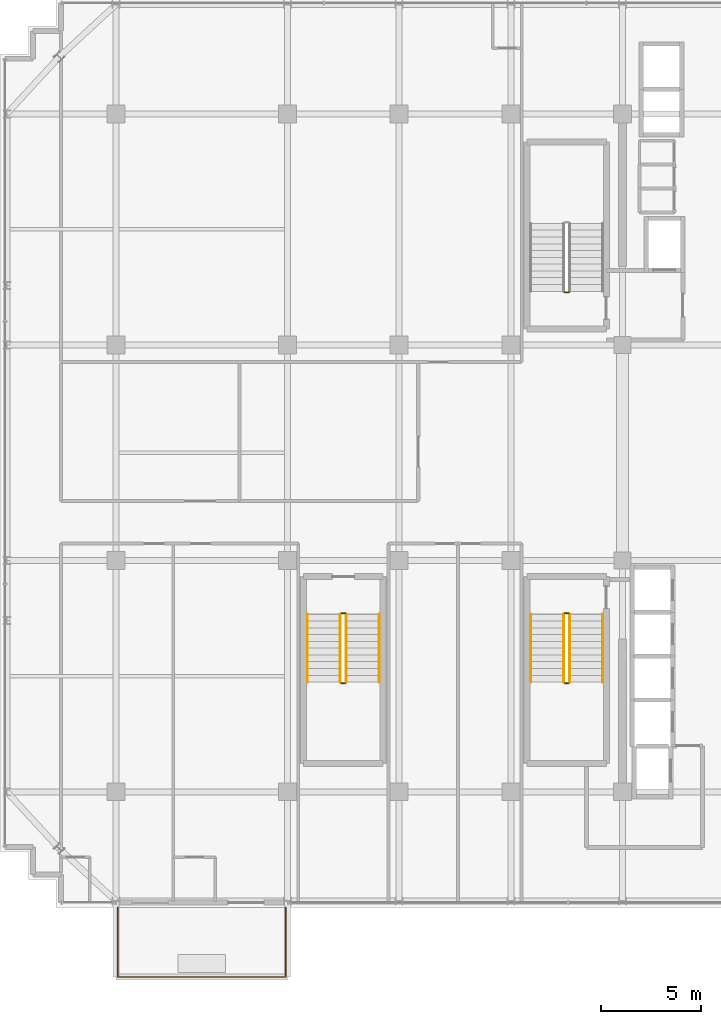
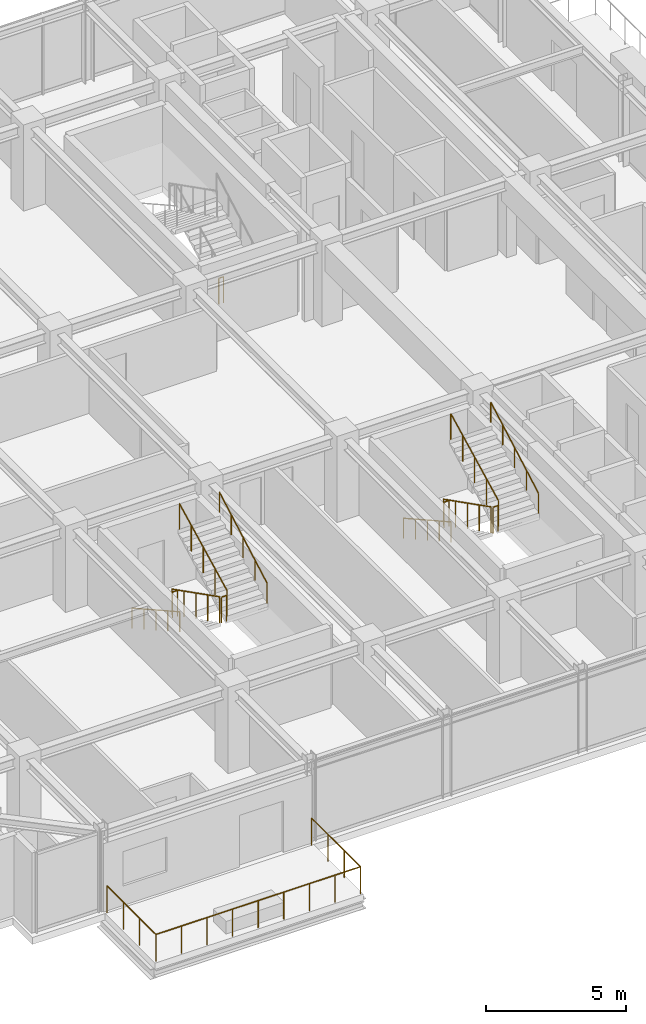
# One storey, part 31 of 33: 14 railings.
"""IFC4 building model written with IfcOpenShell, lengths in metres."""

from ifc_helpers import new_model, si_unit, direction, frame, origin, origin_2d, place, context, subcontext, project, spatial, circle, extrude, material, type_object, element, save


model = new_model("IFC4")

# Units and contexts
model_context = context("Model", 3, precision=1e-05, world=origin(), true_north=direction((0.0, 1.0)))
body_context = subcontext(model_context, "Body", "Model", "MODEL_VIEW")
ifc_project = project(units=[si_unit("LENGTHUNIT", "METRE"), si_unit("AREAUNIT", "SQUARE_METRE"), si_unit("VOLUMEUNIT", "CUBIC_METRE"), si_unit("PLANEANGLEUNIT", "RADIAN"), si_unit("MASSUNIT", "GRAM", prefix="KILO")], contexts=[model_context])

# Site, building, storey
site_placement = place(None, origin())
site = spatial("IfcSite", under=ifc_project, at=site_placement, CompositionType="ELEMENT")
building_placement = place(site_placement, origin())
building = spatial("IfcBuilding", under=site, at=building_placement, Name="Nahalor Promenade Grand Hotel", CompositionType="ELEMENT")
storey_placement = place(building_placement, frame((0.0, 0.0, 315.75)))
storey = spatial("IfcBuildingStorey", under=building, at=storey_placement, Name="L81", CompositionType="ELEMENT", Elevation=315.75)

# Railings
ifc_material_1 = material(Name="Anodised Bronze Aluminium EN AW-6063 T6", Category="aluminium")
railing_type_1 = type_object("IfcRailingType", Name="Bronze Balcony Guardrail 1200 mm", PredefinedType="GUARDRAIL", material=ifc_material_1)
railing_1_placement = place(storey_placement, frame((-16.919921875, -22.800048828125, 0.0)))
element("IfcRailing", 1, at=railing_1_placement, inside=storey, type_object=railing_type_1, Name="L81 Balcony Guardrail 1", PredefinedType="GUARDRAIL", context=body_context, shape_type="SweptSolid", body=[
    extrude(circle(Radius=0.024048, at=origin_2d()), frame((0.0, 0.0, 1.17578125), z_axis=(0.0, -1.0, 0.0), x_axis=(1.0, 0.0, 0.0)), (0.0, 0.0, 1.0), 3.488037109375),
    extrude(circle(Radius=0.024048, at=origin_2d()), frame((0.001953125, -3.489990234375, 1.17578125), z_axis=(1.0, 0.0, 0.0), x_axis=(0.0, 1.0, 0.0)), (0.0, 0.0, 1.0), 8.43603515625),
    extrude(circle(Radius=0.024048, at=origin_2d()), frame((8.43994140625, -3.488037109375, 1.17578125), z_axis=(0.0, 1.0, 0.0), x_axis=(-1.0, 0.0, 0.0)), (0.0, 0.0, 1.0), 3.488037109375),
    extrude(circle(Radius=0.020996, at=origin_2d()), origin(), (0.0, 0.0, 1.0), 1.14990234375),
    extrude(circle(Radius=0.020996, at=origin_2d()), frame((0.0, -1.163330078125, 0.0)), (0.0, 0.0, 1.0), 1.14990234375),
    extrude(circle(Radius=0.020996, at=origin_2d()), frame((0.0, -2.32666015625, 0.0)), (0.0, 0.0, 1.0), 1.14990234375),
    extrude(circle(Radius=0.020996, at=origin_2d()), frame((0.0, -3.489990234375, 0.0)), (0.0, 0.0, 1.0), 1.14990234375),
    extrude(circle(Radius=0.020996, at=origin_2d()), frame((1.054931640625, -3.489990234375, 0.0)), (0.0, 0.0, 1.0), 1.14990234375),
    extrude(circle(Radius=0.020996, at=origin_2d()), frame((2.10986328125, -3.489990234375, 0.0)), (0.0, 0.0, 1.0), 1.14990234375),
    extrude(circle(Radius=0.020996, at=origin_2d()), frame((3.1650390625, -3.489990234375, 0.0)), (0.0, 0.0, 1.0), 1.14990234375),
    extrude(circle(Radius=0.020996, at=origin_2d()), frame((4.219970703125, -3.489990234375, 0.0)), (0.0, 0.0, 1.0), 1.14990234375),
    extrude(circle(Radius=0.020996, at=origin_2d()), frame((5.27490234375, -3.489990234375, 0.0)), (0.0, 0.0, 1.0), 1.14990234375),
    extrude(circle(Radius=0.020996, at=origin_2d()), frame((6.330078125, -3.489990234375, 0.0)), (0.0, 0.0, 1.0), 1.14990234375),
    extrude(circle(Radius=0.020996, at=origin_2d()), frame((7.385009765625, -3.489990234375, 0.0)), (0.0, 0.0, 1.0), 1.14990234375),
    extrude(circle(Radius=0.020996, at=origin_2d()), frame((8.43994140625, -3.489990234375, 0.0)), (0.0, 0.0, 1.0), 1.14990234375),
    extrude(circle(Radius=0.020996, at=origin_2d()), frame((8.43994140625, -2.32666015625, 0.0)), (0.0, 0.0, 1.0), 1.14990234375),
    extrude(circle(Radius=0.020996, at=origin_2d()), frame((8.43994140625, -1.163330078125, 0.0)), (0.0, 0.0, 1.0), 1.14990234375),
    extrude(circle(Radius=0.020996, at=origin_2d()), frame((8.43994140625, 0.0, 0.0)), (0.0, 0.0, 1.0), 1.14990234375),
])
ifc_material_2 = material(Name="Steel S355JR", Category="steel")
railing_type_2 = type_object("IfcRailingType", Name="Steel Stair Guardrail 1150 mm", PredefinedType="GUARDRAIL", material=ifc_material_2)
railing_2_placement = place(storey_placement, frame((5.699951171875, 8.050048828125, 0.0)))
element("IfcRailing", 2, at=railing_2_placement, inside=storey, type_object=railing_type_2, Name="L81 ST1 stair guard 4", PredefinedType="GUARDRAIL", context=body_context, shape_type="SweptSolid", body=[
    extrude(circle(Radius=0.024048, at=origin_2d()), frame((0.0, 0.0, 1.1259765625), z_axis=(-1.0, 0.0, 0.0), x_axis=(0.0, -1.0, 0.0)), (0.0, 0.0, 1.0), 0.199951171875),
    extrude(circle(Radius=0.020996, at=origin_2d()), origin(), (0.0, 0.0, 1.0), 1.099853515625),
    extrude(circle(Radius=0.020996, at=origin_2d()), frame((-0.199951171875, 0.0, 0.0)), (0.0, 0.0, 1.0), 1.099853515625),
])
railing_3_placement = place(storey_placement, frame((5.449951171875, -8.10009765625, 0.172607421875)))
element("IfcRailing", 3, at=railing_3_placement, inside=storey, type_object=railing_type_2, Name="L81 ST2 stair guard 1", PredefinedType="GUARDRAIL", context=body_context, shape_type="SweptSolid", body=[
    extrude(circle(Radius=0.024048, at=origin_2d()), frame((0.0, 0.0, 1.1259765625), z_axis=(0.0, -0.89154070688, 0.452940578858), x_axis=(1.0, 0.0, 0.0)), (0.0, 0.0, 1.0), 3.8134765625),
    extrude(circle(Radius=0.020996, at=origin_2d()), origin(), (0.0, 0.0, 1.0), 1.099853515625),
    extrude(circle(Radius=0.020996, at=origin_2d()), frame((0.0, -0.85009765625, 0.431884765625)), (0.0, 0.0, 1.0), 1.099853515625),
    extrude(circle(Radius=0.020996, at=origin_2d()), frame((0.0, -1.699951171875, 0.86376953125)), (0.0, 0.0, 1.0), 1.099853515625),
    extrude(circle(Radius=0.020996, at=origin_2d()), frame((0.0, -2.5498046875, 1.29541015625)), (0.0, 0.0, 1.0), 1.099853515625),
    extrude(circle(Radius=0.020996, at=origin_2d()), frame((0.0, -3.39990234375, 1.727294921875)), (0.0, 0.0, 1.0), 1.099853515625),
])
railing_4_placement = place(storey_placement, frame((5.5, -11.550048828125, 1.89990234375)))
element("IfcRailing", 4, at=railing_4_placement, inside=storey, type_object=railing_type_2, Name="L81 ST2 stair guard 2", PredefinedType="GUARDRAIL", context=body_context, shape_type="SweptSolid", body=[
    extrude(circle(Radius=0.024048, at=origin_2d()), frame((0.0, 0.0, 1.1259765625), z_axis=(1.0, 0.0, 0.0), x_axis=(0.0, 1.0, 0.0)), (0.0, 0.0, 1.0), 0.199951171875),
    extrude(circle(Radius=0.020996, at=origin_2d()), origin(), (0.0, 0.0, 1.0), 1.099853515625),
    extrude(circle(Radius=0.020996, at=origin_2d()), frame((0.199951171875, 0.0, 0.0)), (0.0, 0.0, 1.0), 1.099853515625),
])
railing_5_placement = place(storey_placement, frame((5.75, -11.5, 2.07275390625)))
element("IfcRailing", 5, at=railing_5_placement, inside=storey, type_object=railing_type_2, Name="L81 ST2 stair guard 3", PredefinedType="GUARDRAIL", context=body_context, shape_type="SweptSolid", body=[
    extrude(circle(Radius=0.024048, at=origin_2d()), frame((0.0, 0.0, 1.1259765625), z_axis=(0.0, 0.89154070688, 0.452940578858), x_axis=(-1.0, 0.0, 0.0)), (0.0, 0.0, 1.0), 3.8134765625),
    extrude(circle(Radius=0.020996, at=origin_2d()), origin(), (0.0, 0.0, 1.0), 1.099853515625),
    extrude(circle(Radius=0.020996, at=origin_2d()), frame((0.0, 0.85009765625, 0.431884765625)), (0.0, 0.0, 1.0), 1.099853515625),
    extrude(circle(Radius=0.020996, at=origin_2d()), frame((0.0, 1.699951171875, 0.86376953125)), (0.0, 0.0, 1.0), 1.099853515625),
    extrude(circle(Radius=0.020996, at=origin_2d()), frame((0.0, 2.5498046875, 1.29541015625)), (0.0, 0.0, 1.0), 1.099853515625),
    extrude(circle(Radius=0.020996, at=origin_2d()), frame((0.0, 3.39990234375, 1.727294921875)), (0.0, 0.0, 1.0), 1.099853515625),
])
railing_6_placement = place(storey_placement, frame((5.5, -8.050048828125, 0.0)))
element("IfcRailing", 6, at=railing_6_placement, inside=storey, type_object=railing_type_2, Name="L81 ST2 stair guard 4", PredefinedType="GUARDRAIL", context=body_context, shape_type="SweptSolid", body=[
    extrude(circle(Radius=0.024048, at=origin_2d()), frame((0.0, 0.0, 1.1259765625), z_axis=(1.0, 0.0, 0.0), x_axis=(0.0, 1.0, 0.0)), (0.0, 0.0, 1.0), 0.199951171875),
    extrude(circle(Radius=0.020996, at=origin_2d()), origin(), (0.0, 0.0, 1.0), 1.099853515625),
    extrude(circle(Radius=0.020996, at=origin_2d()), frame((0.199951171875, 0.0, 0.0)), (0.0, 0.0, 1.0), 1.099853515625),
])
railing_7_placement = place(storey_placement, frame((-5.75, -8.10009765625, 0.172607421875)))
element("IfcRailing", 7, at=railing_7_placement, inside=storey, type_object=railing_type_2, Name="L81 ST3 stair guard 1", PredefinedType="GUARDRAIL", context=body_context, shape_type="SweptSolid", body=[
    extrude(circle(Radius=0.024048, at=origin_2d()), frame((0.0, 0.0, 1.1259765625), z_axis=(0.0, -0.89154070688, 0.452940578858), x_axis=(1.0, 0.0, 0.0)), (0.0, 0.0, 1.0), 3.8134765625),
    extrude(circle(Radius=0.020996, at=origin_2d()), origin(), (0.0, 0.0, 1.0), 1.099853515625),
    extrude(circle(Radius=0.020996, at=origin_2d()), frame((0.0, -0.85009765625, 0.431884765625)), (0.0, 0.0, 1.0), 1.099853515625),
    extrude(circle(Radius=0.020996, at=origin_2d()), frame((0.0, -1.699951171875, 0.86376953125)), (0.0, 0.0, 1.0), 1.099853515625),
    extrude(circle(Radius=0.020996, at=origin_2d()), frame((0.0, -2.5498046875, 1.29541015625)), (0.0, 0.0, 1.0), 1.099853515625),
    extrude(circle(Radius=0.020996, at=origin_2d()), frame((0.0, -3.39990234375, 1.727294921875)), (0.0, 0.0, 1.0), 1.099853515625),
])
railing_8_placement = place(storey_placement, frame((-5.699951171875, -11.550048828125, 1.89990234375)))
element("IfcRailing", 8, at=railing_8_placement, inside=storey, type_object=railing_type_2, Name="L81 ST3 stair guard 2", PredefinedType="GUARDRAIL", context=body_context, shape_type="SweptSolid", body=[
    extrude(circle(Radius=0.024048, at=origin_2d()), frame((0.0, 0.0, 1.1259765625), z_axis=(1.0, 0.0, 0.0), x_axis=(0.0, 1.0, 0.0)), (0.0, 0.0, 1.0), 0.199951171875),
    extrude(circle(Radius=0.020996, at=origin_2d()), origin(), (0.0, 0.0, 1.0), 1.099853515625),
    extrude(circle(Radius=0.020996, at=origin_2d()), frame((0.199951171875, 0.0, 0.0)), (0.0, 0.0, 1.0), 1.099853515625),
])
railing_9_placement = place(storey_placement, frame((-5.449951171875, -11.5, 2.07275390625)))
element("IfcRailing", 9, at=railing_9_placement, inside=storey, type_object=railing_type_2, Name="L81 ST3 stair guard 3", PredefinedType="GUARDRAIL", context=body_context, shape_type="SweptSolid", body=[
    extrude(circle(Radius=0.024048, at=origin_2d()), frame((0.0, 0.0, 1.1259765625), z_axis=(0.0, 0.89154070688, 0.452940578858), x_axis=(-1.0, 0.0, 0.0)), (0.0, 0.0, 1.0), 3.8134765625),
    extrude(circle(Radius=0.020996, at=origin_2d()), origin(), (0.0, 0.0, 1.0), 1.099853515625),
    extrude(circle(Radius=0.020996, at=origin_2d()), frame((0.0, 0.85009765625, 0.431884765625)), (0.0, 0.0, 1.0), 1.099853515625),
    extrude(circle(Radius=0.020996, at=origin_2d()), frame((0.0, 1.699951171875, 0.86376953125)), (0.0, 0.0, 1.0), 1.099853515625),
    extrude(circle(Radius=0.020996, at=origin_2d()), frame((0.0, 2.5498046875, 1.29541015625)), (0.0, 0.0, 1.0), 1.099853515625),
    extrude(circle(Radius=0.020996, at=origin_2d()), frame((0.0, 3.39990234375, 1.727294921875)), (0.0, 0.0, 1.0), 1.099853515625),
])
railing_10_placement = place(storey_placement, frame((-5.699951171875, -8.050048828125, 0.0)))
element("IfcRailing", 10, at=railing_10_placement, inside=storey, type_object=railing_type_2, Name="L81 ST3 stair guard 4", PredefinedType="GUARDRAIL", context=body_context, shape_type="SweptSolid", body=[
    extrude(circle(Radius=0.024048, at=origin_2d()), frame((0.0, 0.0, 1.1259765625), z_axis=(1.0, 0.0, 0.0), x_axis=(0.0, 1.0, 0.0)), (0.0, 0.0, 1.0), 0.199951171875),
    extrude(circle(Radius=0.020996, at=origin_2d()), origin(), (0.0, 0.0, 1.0), 1.099853515625),
    extrude(circle(Radius=0.020996, at=origin_2d()), frame((0.199951171875, 0.0, 0.0)), (0.0, 0.0, 1.0), 1.099853515625),
])
railing_type_3 = type_object("IfcRailingType", Name="Steel Stair Handrail 900 mm", PredefinedType="HANDRAIL", material=ifc_material_2)
railing_11_placement = place(storey_placement, frame((3.800048828125, -8.10009765625, 0.172607421875)))
element("IfcRailing", 11, at=railing_11_placement, inside=storey, type_object=railing_type_3, Name="L81 ST2 stair handrail 1", PredefinedType="HANDRAIL", context=body_context, shape_type="SweptSolid", body=[
    extrude(circle(Radius=0.024048, at=origin_2d()), frame((0.0, 0.0, 0.8759765625), z_axis=(0.0, -0.872921498864, 0.487860694073), x_axis=(1.0, 0.0, 0.0)), (0.0, 0.0, 1.0), 3.894775390625),
    extrude(circle(Radius=0.020996, at=origin_2d()), origin(), (0.0, 0.0, 1.0), 0.849853515625),
    extrude(circle(Radius=0.020996, at=origin_2d()), frame((0.0, -0.85009765625, 0.47509765625)), (0.0, 0.0, 1.0), 0.849853515625),
    extrude(circle(Radius=0.020996, at=origin_2d()), frame((0.0, -1.699951171875, 0.9501953125)), (0.0, 0.0, 1.0), 0.849853515625),
    extrude(circle(Radius=0.020996, at=origin_2d()), frame((0.0, -2.5498046875, 1.425048828125)), (0.0, 0.0, 1.0), 0.849853515625),
    extrude(circle(Radius=0.020996, at=origin_2d()), frame((0.0, -3.39990234375, 1.900146484375)), (0.0, 0.0, 1.0), 0.849853515625),
])
railing_12_placement = place(storey_placement, frame((7.39990234375, -11.5, 2.07275390625)))
element("IfcRailing", 12, at=railing_12_placement, inside=storey, type_object=railing_type_3, Name="L81 ST2 stair handrail 2", PredefinedType="HANDRAIL", context=body_context, shape_type="SweptSolid", body=[
    extrude(circle(Radius=0.024048, at=origin_2d()), frame((0.0, 0.0, 0.8759765625), z_axis=(0.0, 0.872948192752, 0.487812928048), x_axis=(-1.0, 0.0, 0.0)), (0.0, 0.0, 1.0), 3.894775390625),
    extrude(circle(Radius=0.020996, at=origin_2d()), origin(), (0.0, 0.0, 1.0), 0.849853515625),
    extrude(circle(Radius=0.020996, at=origin_2d()), frame((0.0, 0.85009765625, 0.47509765625)), (0.0, 0.0, 1.0), 0.849853515625),
    extrude(circle(Radius=0.020996, at=origin_2d()), frame((0.0, 1.699951171875, 0.949951171875)), (0.0, 0.0, 1.0), 0.849853515625),
    extrude(circle(Radius=0.020996, at=origin_2d()), frame((0.0, 2.5498046875, 1.4248046875)), (0.0, 0.0, 1.0), 0.849853515625),
    extrude(circle(Radius=0.020996, at=origin_2d()), frame((0.0, 3.39990234375, 1.89990234375)), (0.0, 0.0, 1.0), 0.849853515625),
])
railing_13_placement = place(storey_placement, frame((-7.39990234375, -8.10009765625, 0.172607421875)))
element("IfcRailing", 13, at=railing_13_placement, inside=storey, type_object=railing_type_3, Name="L81 ST3 stair handrail 1", PredefinedType="HANDRAIL", context=body_context, shape_type="SweptSolid", body=[
    extrude(circle(Radius=0.024048, at=origin_2d()), frame((0.0, 0.0, 0.8759765625), z_axis=(0.0, -0.872921498864, 0.487860694073), x_axis=(1.0, 0.0, 0.0)), (0.0, 0.0, 1.0), 3.894775390625),
    extrude(circle(Radius=0.020996, at=origin_2d()), origin(), (0.0, 0.0, 1.0), 0.849853515625),
    extrude(circle(Radius=0.020996, at=origin_2d()), frame((0.0, -0.85009765625, 0.47509765625)), (0.0, 0.0, 1.0), 0.849853515625),
    extrude(circle(Radius=0.020996, at=origin_2d()), frame((0.0, -1.699951171875, 0.9501953125)), (0.0, 0.0, 1.0), 0.849853515625),
    extrude(circle(Radius=0.020996, at=origin_2d()), frame((0.0, -2.5498046875, 1.425048828125)), (0.0, 0.0, 1.0), 0.849853515625),
    extrude(circle(Radius=0.020996, at=origin_2d()), frame((0.0, -3.39990234375, 1.900146484375)), (0.0, 0.0, 1.0), 0.849853515625),
])
railing_14_placement = place(storey_placement, frame((-3.800048828125, -11.5, 2.07275390625)))
element("IfcRailing", 14, at=railing_14_placement, inside=storey, type_object=railing_type_3, Name="L81 ST3 stair handrail 2", PredefinedType="HANDRAIL", context=body_context, shape_type="SweptSolid", body=[
    extrude(circle(Radius=0.024048, at=origin_2d()), frame((0.0, 0.0, 0.8759765625), z_axis=(0.0, 0.872948192752, 0.487812928048), x_axis=(-1.0, 0.0, 0.0)), (0.0, 0.0, 1.0), 3.894775390625),
    extrude(circle(Radius=0.020996, at=origin_2d()), origin(), (0.0, 0.0, 1.0), 0.849853515625),
    extrude(circle(Radius=0.020996, at=origin_2d()), frame((0.0, 0.85009765625, 0.47509765625)), (0.0, 0.0, 1.0), 0.849853515625),
    extrude(circle(Radius=0.020996, at=origin_2d()), frame((0.0, 1.699951171875, 0.949951171875)), (0.0, 0.0, 1.0), 0.849853515625),
    extrude(circle(Radius=0.020996, at=origin_2d()), frame((0.0, 2.5498046875, 1.4248046875)), (0.0, 0.0, 1.0), 0.849853515625),
    extrude(circle(Radius=0.020996, at=origin_2d()), frame((0.0, 3.39990234375, 1.89990234375)), (0.0, 0.0, 1.0), 0.849853515625),
])

save(model, "model.ifc")
